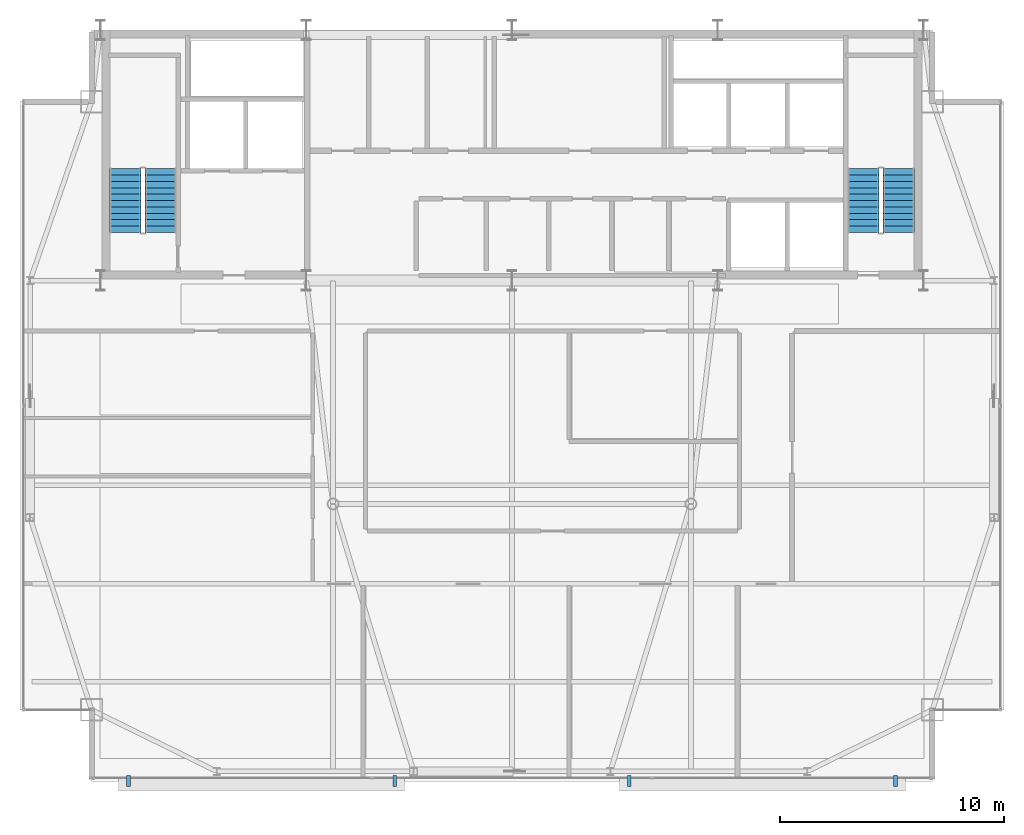
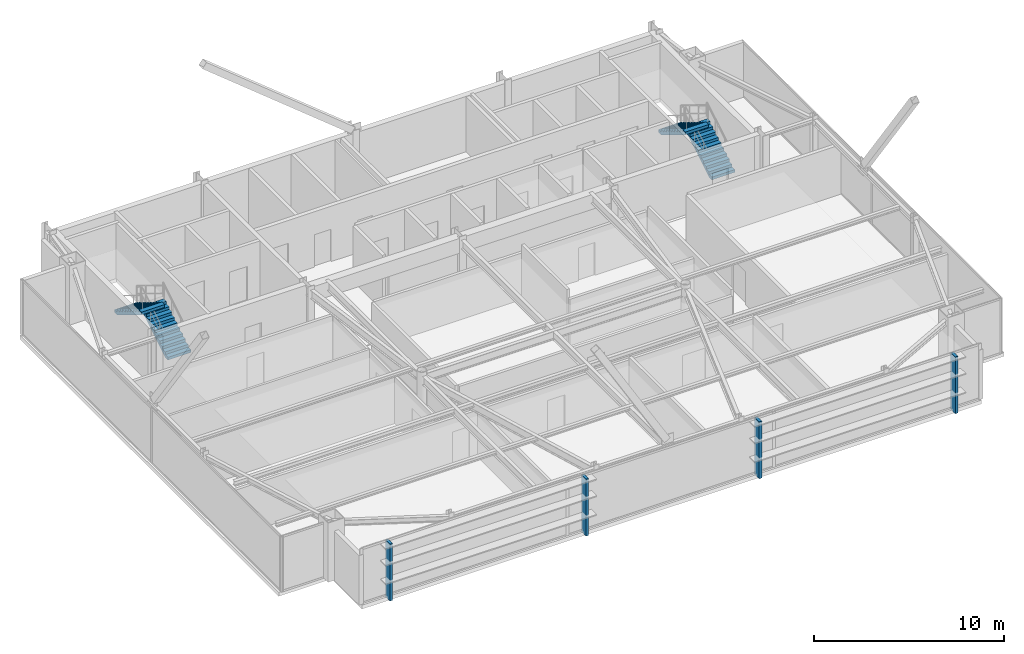
# One storey, part 23 of 24: 4 discrete accessories, 4 stair flights, 2 elements without a shape of their own.
"""IFC4 building model written with IfcOpenShell, lengths in metres."""

from ifc_helpers import new_model, si_unit, direction, frame, origin, origin_2d, place, context, subcontext, project, spatial, polyline, rectangle, outline, extrude, source, transform, mapped, material, layer, layer_set, type_object, type_shapes, element, aggregate, save


model = new_model("IFC4")

# Units and contexts
model_context = context("Model", 3, precision=1e-05, world=origin(), true_north=direction((0.0, 1.0)))
body_context = subcontext(model_context, "Body", "Model", "MODEL_VIEW")
ifc_project = project(units=[si_unit("LENGTHUNIT", "METRE"), si_unit("AREAUNIT", "SQUARE_METRE"), si_unit("VOLUMEUNIT", "CUBIC_METRE"), si_unit("PLANEANGLEUNIT", "RADIAN"), si_unit("MASSUNIT", "GRAM", prefix="KILO")], contexts=[model_context])

# Site, building, storey
site_placement = place(None, origin())
site = spatial("IfcSite", under=ifc_project, at=site_placement, CompositionType="ELEMENT")
building_placement = place(site_placement, origin())
building = spatial("IfcBuilding", under=site, at=building_placement, Name="Varnel Quay Broadcast Tower", CompositionType="ELEMENT")
storey_placement = place(building_placement, frame((0.0, 0.0, 262.199951171875)))
storey = spatial("IfcBuildingStorey", under=building, at=storey_placement, Name="L65", CompositionType="ELEMENT", Elevation=262.199951171875)

# Stair, stair flights
ifc_material_1 = material(Name="Precast Structural Concrete C40/50", Category="concrete")
stair_type_1 = type_object("IfcStairType", Name="Stair_ST-01", PredefinedType="HALF_TURN_STAIR", material=ifc_material_1)
stair_1_placement = place(storey_placement, origin())
stair_1 = element("IfcStair", 1, at=stair_1_placement, inside=storey, type_object=stair_type_1, Name="L65 West Core Exit Stair 1", PredefinedType="HALF_TURN_STAIR")
stair_flight_type_1 = type_object("IfcStairFlightType", Name="Flight_ST-01", PredefinedType="STRAIGHT", material=ifc_material_1)
stair_flight_1_placement = place(storey_placement, frame((18.300048828125, 37.75, 0.0), z_axis=(0.0, 0.0, 1.0), x_axis=(0.0, 1.0, 0.0)))
stair_flight_1 = element("IfcStairFlight", 2, at=stair_flight_1_placement, type_object=stair_flight_type_1, Name="ST-01 flight 1", NumberOfRisers=11, NumberOfTreads=10, PredefinedType="STRAIGHT", RiserHeight=0.172727273, TreadLength=0.285, context=body_context, shape_type="SweptSolid", body=[
    extrude(outline(polyline([(0.0, 0.0), (0.0, 0.172607421875), (0.284912109375, 0.172607421875), (0.284912109375, 0.345458984375), (0.570068359375, 0.345458984375), (0.570068359375, 0.51806640625), (0.85498046875, 0.51806640625), (0.85498046875, 0.69091796875), (1.139892578125, 0.69091796875), (1.139892578125, 0.863525390625), (1.425048828125, 0.863525390625), (1.425048828125, 1.036376953125), (1.7099609375, 1.036376953125), (1.7099609375, 1.208984375), (1.9951171875, 1.208984375), (1.9951171875, 1.3818359375), (2.280029296875, 1.3818359375), (2.280029296875, 1.554443359375), (2.56494140625, 1.554443359375), (2.56494140625, 1.727294921875), (2.85009765625, 1.727294921875), (2.85009765625, 1.89990234375), (2.85009765625, 1.552001953125), (0.289306640625, 0.0), (0.0, 0.0)])), frame((0.0, 0.699951171875, 0.0), z_axis=(0.0, -1.0, 0.0), x_axis=(1.0, 0.0, 0.0)), (0.0, 0.0, 1.0), 1.39990234375),
])
stair_flight_2_placement = place(storey_placement, frame((16.699951171875, 40.60009765625, 1.900146484375), z_axis=(0.0, 0.0, 1.0), x_axis=(0.0, -1.0, 0.0)))
stair_flight_2 = element("IfcStairFlight", 3, at=stair_flight_2_placement, type_object=stair_flight_type_1, Name="ST-01 flight 2", NumberOfRisers=11, NumberOfTreads=10, PredefinedType="STRAIGHT", RiserHeight=0.172727273, TreadLength=0.285, context=body_context, shape_type="SweptSolid", body=[
    extrude(outline(polyline([(0.0, 0.0), (0.0, 0.172607421875), (0.284912109375, 0.172607421875), (0.284912109375, 0.345458984375), (0.570068359375, 0.345458984375), (0.570068359375, 0.51806640625), (0.85498046875, 0.51806640625), (0.85498046875, 0.69091796875), (1.139892578125, 0.69091796875), (1.139892578125, 0.863525390625), (1.425048828125, 0.863525390625), (1.425048828125, 1.036376953125), (1.7099609375, 1.036376953125), (1.7099609375, 1.208984375), (1.9951171875, 1.208984375), (1.9951171875, 1.3818359375), (2.280029296875, 1.3818359375), (2.280029296875, 1.554443359375), (2.56494140625, 1.554443359375), (2.56494140625, 1.727294921875), (2.85009765625, 1.727294921875), (2.85009765625, 1.89990234375), (2.85009765625, 1.552001953125), (0.289306640625, 0.0), (0.0, 0.0)])), frame((0.0, 0.699951171875, 0.0), z_axis=(0.0, -1.0, 0.0), x_axis=(1.0, 0.0, 0.0)), (0.0, 0.0, 1.0), 1.39990234375),
])
aggregate(stair_1, [stair_flight_1, stair_flight_2])

stair_type_2 = type_object("IfcStairType", Name="Stair_ST-02", PredefinedType="HALF_TURN_STAIR", material=ifc_material_1)
stair_2_placement = place(storey_placement, origin())
stair_2 = element("IfcStair", 4, at=stair_2_placement, inside=storey, type_object=stair_type_2, Name="L65 East Core Exit Stair 2", PredefinedType="HALF_TURN_STAIR")
stair_flight_type_2 = type_object("IfcStairFlightType", Name="Flight_ST-02", PredefinedType="STRAIGHT", material=ifc_material_1)
stair_flight_3_placement = place(storey_placement, frame((51.300048828125, 37.75, 0.0), z_axis=(0.0, 0.0, 1.0), x_axis=(0.0, 1.0, 0.0)))
stair_flight_3 = element("IfcStairFlight", 5, at=stair_flight_3_placement, type_object=stair_flight_type_2, Name="ST-02 flight 1", NumberOfRisers=11, NumberOfTreads=10, PredefinedType="STRAIGHT", RiserHeight=0.172727273, TreadLength=0.285, context=body_context, shape_type="SweptSolid", body=[
    extrude(outline(polyline([(0.0, 0.0), (0.0, 0.172607421875), (0.284912109375, 0.172607421875), (0.284912109375, 0.345458984375), (0.570068359375, 0.345458984375), (0.570068359375, 0.51806640625), (0.85498046875, 0.51806640625), (0.85498046875, 0.69091796875), (1.139892578125, 0.69091796875), (1.139892578125, 0.863525390625), (1.425048828125, 0.863525390625), (1.425048828125, 1.036376953125), (1.7099609375, 1.036376953125), (1.7099609375, 1.208984375), (1.9951171875, 1.208984375), (1.9951171875, 1.3818359375), (2.280029296875, 1.3818359375), (2.280029296875, 1.554443359375), (2.56494140625, 1.554443359375), (2.56494140625, 1.727294921875), (2.85009765625, 1.727294921875), (2.85009765625, 1.89990234375), (2.85009765625, 1.552001953125), (0.289306640625, 0.0), (0.0, 0.0)])), frame((0.0, 0.699951171875, 0.0), z_axis=(0.0, -1.0, 0.0), x_axis=(1.0, 0.0, 0.0)), (0.0, 0.0, 1.0), 1.39990234375),
])
stair_flight_4_placement = place(storey_placement, frame((49.699951171875, 40.60009765625, 1.900146484375), z_axis=(0.0, 0.0, 1.0), x_axis=(0.0, -1.0, 0.0)))
stair_flight_4 = element("IfcStairFlight", 6, at=stair_flight_4_placement, type_object=stair_flight_type_2, Name="ST-02 flight 2", NumberOfRisers=11, NumberOfTreads=10, PredefinedType="STRAIGHT", RiserHeight=0.172727273, TreadLength=0.285, context=body_context, shape_type="SweptSolid", body=[
    extrude(outline(polyline([(0.0, 0.0), (0.0, 0.172607421875), (0.284912109375, 0.172607421875), (0.284912109375, 0.345458984375), (0.570068359375, 0.345458984375), (0.570068359375, 0.51806640625), (0.85498046875, 0.51806640625), (0.85498046875, 0.69091796875), (1.139892578125, 0.69091796875), (1.139892578125, 0.863525390625), (1.425048828125, 0.863525390625), (1.425048828125, 1.036376953125), (1.7099609375, 1.036376953125), (1.7099609375, 1.208984375), (1.9951171875, 1.208984375), (1.9951171875, 1.3818359375), (2.280029296875, 1.3818359375), (2.280029296875, 1.554443359375), (2.56494140625, 1.554443359375), (2.56494140625, 1.727294921875), (2.85009765625, 1.727294921875), (2.85009765625, 1.89990234375), (2.85009765625, 1.552001953125), (0.289306640625, 0.0), (0.0, 0.0)])), frame((0.0, 0.699951171875, 0.0), z_axis=(0.0, -1.0, 0.0), x_axis=(1.0, 0.0, 0.0)), (0.0, 0.0, 1.0), 1.39990234375),
])
aggregate(stair_2, [stair_flight_3, stair_flight_4])

# Discrete accessories
ifc_material_2 = material(Name="Anodised Bronze Aluminium 6063-T6", Category="aluminium")
ifc_layer = layer(ifc_material_2, 0.47998046875, Name="Anodised Bronze Aluminium 6063-T6")
ifc_layer_set = layer_set([ifc_layer], Name="Anodised Bronze Aluminium 6063-T6")
discrete_accessory_type = type_object("IfcDiscreteAccessoryType", Name="Acc_FacadeBracket", PredefinedType="BRACKET", material=ifc_layer_set)
shared_shape = source(origin(), body_context, "Body", "SweptSolid", [
    extrude(rectangle(XDim=0.159912109375, YDim=0.47998046875, at=origin_2d()), origin(), (0.0, 0.0, 1.0), 3.64990234375),
])
type_shapes(discrete_accessory_type, [shared_shape])
for number, where, z_axis, x_axis, name in (
    (7, (16.85009765625, 13.219970703125, -0.14990234375), (0.0, 0.0, 1.0), (1.0, 0.0, 0.0), "L65 Lobe 1 Louvre Support Bracket 1"),
    (8, (28.75, 13.219970703125, -0.14990234375), (0.0, 0.0, 1.0), (1.0, 0.0, 0.0), "L65 Lobe 1 Louvre Support Bracket 2"),
    (9, (39.25, 13.219970703125, -0.14990234375), (0.0, 0.0, 1.0), (1.0, 0.0, 0.0), "L65 Lobe 2 Louvre Support Bracket 1"),
    (10, (51.14990234375, 13.219970703125, -0.14990234375), (0.0, 0.0, 1.0), (1.0, 0.0, 0.0), "L65 Lobe 2 Louvre Support Bracket 2"),
):
    element("IfcDiscreteAccessory", number, at=place(storey_placement, frame(where, z_axis=z_axis, x_axis=x_axis)), inside=storey, type_object=discrete_accessory_type, Name=name, PredefinedType="BRACKET", context=body_context, shape_type="MappedRepresentation", body=[
        mapped(shared_shape, transform((0.0, 0.0, 0.0), x_axis=(1.0, 0.0, 0.0), y_axis=(0.0, 1.0, 0.0), z_axis=(0.0, 0.0, 1.0), scale=1.0)),
    ])

save(model, "model.ifc")
